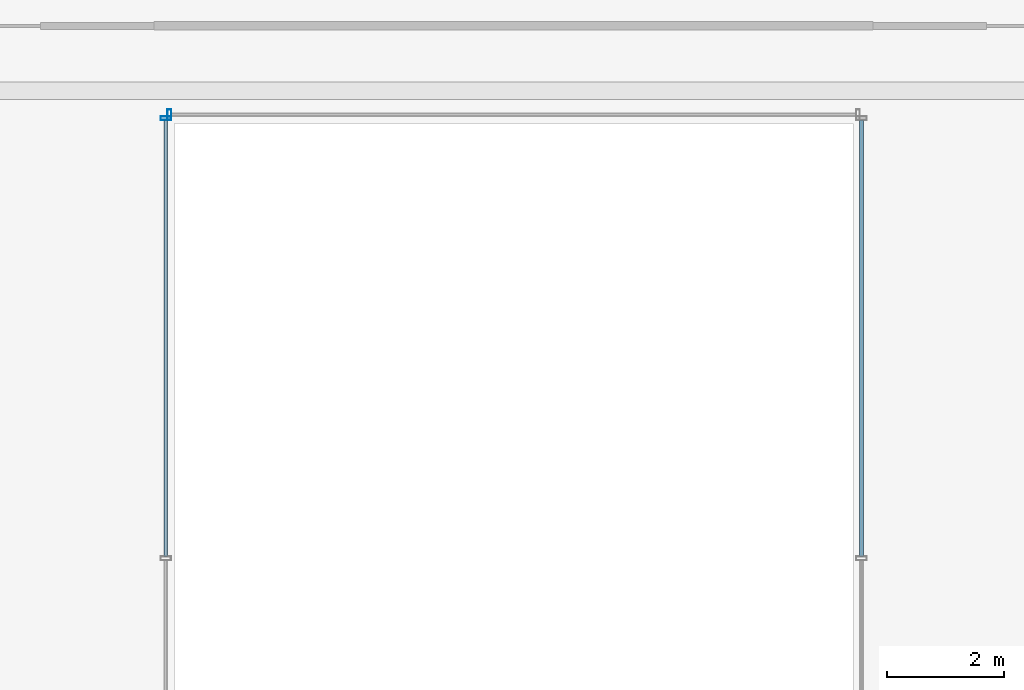
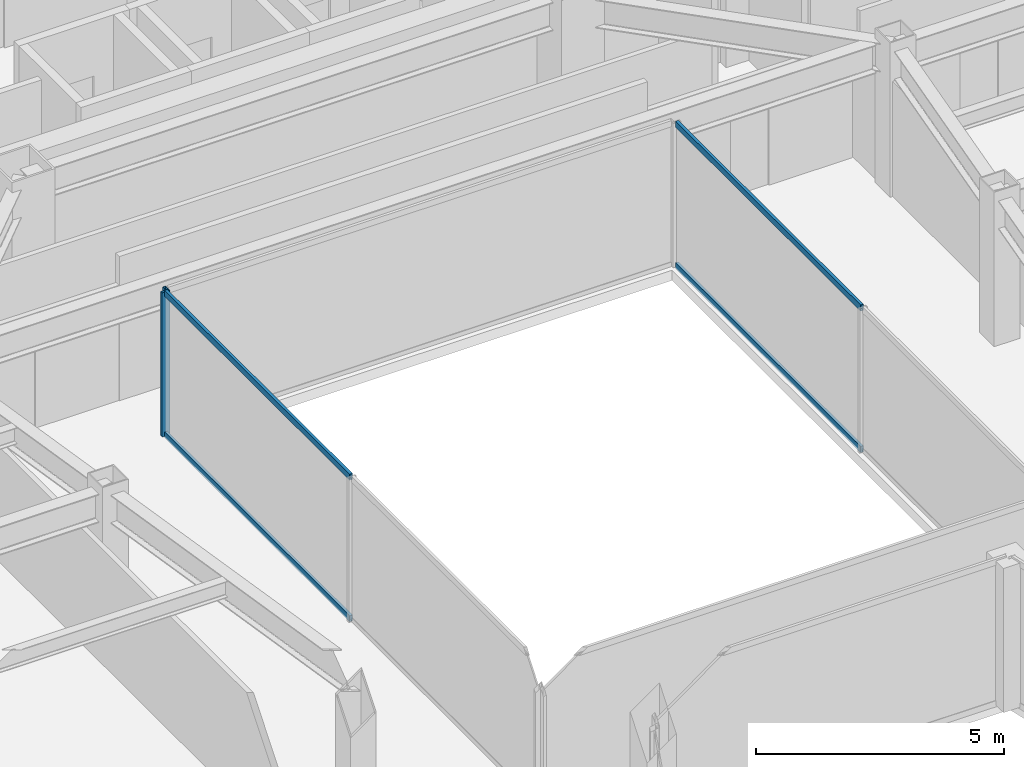
# One storey, part 12 of 38: 6 members, 3 elements without a shape of their own.
"""IFC4 building model written with IfcOpenShell, lengths in metres."""

import ifcopenshell
import ifcopenshell.guid

model = None  # the IFC model being written
_history = None  # IfcOwnerHistory: only IFC2X3 demands one
_inside = {}  # id of a spatial element -> (the spatial element, [elements in it])
_under = {}  # id of a project, library or spatial element -> (it, [spatial elements below it])
_declared = {}  # id of a project -> (the project, [libraries it declares])
_typed = {}  # id of a type object -> (the type object, [elements of that type])
_made_of = {}  # id of a material, layer set ... -> (it, [elements and type objects made of it])


def new_model(schema):
    """Start an empty IFC model of exactly this schema.

    Asked for "IFC4X3", IfcOpenShell would pick the latest addendum, in which some entities
    have other attributes; the version numbers below select the first issue.
    IFC2X3 requires an IfcOwnerHistory on every rooted entity: one is made here for all.
    """
    global model, _history
    if schema == "IFC4X3":
        model = ifcopenshell.file(schema_version=(4, 3, 0, 0))
    else:
        model = ifcopenshell.file(schema=schema)
    _inside.clear()
    _under.clear()
    _declared.clear()
    _typed.clear()
    _made_of.clear()
    _history = None
    if model.schema == "IFC2X3":
        org = make("IfcOrganization", Name="unknown")
        user = make(
            "IfcPersonAndOrganization",
            ThePerson=make("IfcPerson", FamilyName="unknown"),
            TheOrganization=org,
        )
        app = make(
            "IfcApplication",
            ApplicationDeveloper=org,
            Version="unknown",
            ApplicationFullName="unknown",
            ApplicationIdentifier="unknown",
        )
        _history = make(
            "IfcOwnerHistory",
            OwningUser=user,
            OwningApplication=app,
            ChangeAction="ADDED",
            CreationDate=0,
        )
    return model


def make(cls, **values):
    """One entity of the class cls with the attributes given. An attribute that is None is left unset."""
    return model.create_entity(
        cls, **{name: value for name, value in values.items() if value is not None}
    )


def rooted(cls, **values):
    """An entity with a GlobalId (a new one), such as an element, a storey or a relation."""
    return make(cls, GlobalId=ifcopenshell.guid.new(), OwnerHistory=_history, **values)


def si_unit(unit_type, name, prefix=None):
    """IfcSIUnit, for example si_unit("LENGTHUNIT", "METRE", prefix="MILLI")."""
    return make("IfcSIUnit", UnitType=unit_type, Prefix=prefix, Name=name)


def assignment(units):
    """IfcUnitAssignment: the units of a project."""
    return None if units is None else make("IfcUnitAssignment", Units=units)


def point(xyz):
    """IfcCartesianPoint."""
    return None if xyz is None else make("IfcCartesianPoint", Coordinates=xyz)


def direction(xyz):
    """IfcDirection."""
    return None if xyz is None else make("IfcDirection", DirectionRatios=xyz)


def frame(location, z_axis=None, x_axis=None):
    """IfcAxis2Placement3D, a coordinate frame: its origin and axes. An axis left out is left unset."""
    return make(
        "IfcAxis2Placement3D",
        Location=point(location),
        Axis=direction(z_axis),
        RefDirection=direction(x_axis),
    )


def frame_2d(location, x_axis=None):
    """IfcAxis2Placement2D, a coordinate frame in the plane: its origin and x axis."""
    return make(
        "IfcAxis2Placement2D", Location=point(location), RefDirection=direction(x_axis)
    )


def origin():
    """The frame at (0, 0, 0) with its axes left unset."""
    return frame((0.0, 0.0, 0.0))


def origin_2d():
    """The frame at (0, 0) in the plane with its x axis left unset."""
    return frame_2d((0.0, 0.0))


def place(relative_to, where):
    """IfcLocalPlacement: puts the frame where relative to a parent placement (None: the world)."""
    return make(
        "IfcLocalPlacement", PlacementRelTo=relative_to, RelativePlacement=where
    )


def context(
    kind, dimensions, precision=None, world=None, true_north=None, identifier=None
):
    """IfcGeometricRepresentationContext, for example the 3D "Model" context."""
    return make(
        "IfcGeometricRepresentationContext",
        ContextIdentifier=identifier,
        ContextType=kind,
        CoordinateSpaceDimension=dimensions,
        Precision=precision,
        WorldCoordinateSystem=world,
        TrueNorth=true_north,
    )


def subcontext(parent, identifier, kind, view, scale=None):
    """IfcGeometricRepresentationSubContext, for example "Body" below "Model"."""
    return make(
        "IfcGeometricRepresentationSubContext",
        ContextIdentifier=identifier,
        ContextType=kind,
        ParentContext=parent,
        TargetScale=scale,
        TargetView=view,
    )


def project(units=None, contexts=None):
    """IfcProject with its units and contexts."""
    return rooted(
        "IfcProject",
        Name="project",
        RepresentationContexts=contexts,
        UnitsInContext=assignment(units),
    )


def spatial(cls, under=None, at=None, **own):
    """A site, building, storey or space (cls), placed at a placement, below another one or the project."""
    s = rooted(cls, ObjectPlacement=at, **own)
    if under is not None:
        _under.setdefault(under.id(), (under, []))[1].append(s)
    return s


def profile(cls, at=None, kind="AREA", **sizes):
    """A parametric profile (cls). Its sizes go by their IFC names, for example OverallWidth=200.0."""
    return make(cls, ProfileType=kind, Position=at, **sizes)


def hollow_rectangle(**sizes):
    """IfcRectangleHollowProfileDef."""
    return profile("IfcRectangleHollowProfileDef", **sizes)


def extrude(swept, where, along, depth):
    """IfcExtrudedAreaSolid: the profile swept, set in the frame where, extruded along a direction by depth."""
    return make(
        "IfcExtrudedAreaSolid",
        SweptArea=swept,
        Position=where,
        ExtrudedDirection=direction(along),
        Depth=depth,
    )


def shape(context_of_items, identifier, shape_type, items):
    """IfcShapeRepresentation: the items that make up one representation, for example the "Body"."""
    return make(
        "IfcShapeRepresentation",
        ContextOfItems=context_of_items,
        RepresentationIdentifier=identifier,
        RepresentationType=shape_type,
        Items=items,
    )


def material(Name=None, Category=None):
    """IfcMaterial."""
    return make("IfcMaterial", Name=Name, Category=Category)


def material_profile(
    of_material, cross_section, Name=None, Category=None, Priority=None
):
    """IfcMaterialProfile: a cross section and its material."""
    return make(
        "IfcMaterialProfile",
        Name=Name,
        Material=of_material,
        Profile=cross_section,
        Priority=Priority,
        Category=Category,
    )


def profile_set(profiles, Name=None, composite=None):
    """IfcMaterialProfileSet."""
    return make(
        "IfcMaterialProfileSet",
        Name=Name,
        MaterialProfiles=profiles,
        CompositeProfile=composite,
    )


def made_of(thing, what):
    """Note that an element or type object is made of a material, layer set ...; save() writes the relation."""
    if what is not None:
        _made_of.setdefault(what.id(), (what, []))[1].append(thing)
    return thing


def type_object(cls, material=None, **own):
    """A type object (cls), such as IfcWallType, which elements share."""
    return made_of(rooted(cls, **own), material)


def element(
    cls,
    number,
    at=None,
    inside=None,
    cuts=None,
    type_object=None,
    material=None,
    context=None,
    identifier="Body",
    shape_type=None,
    held_by="IfcProductDefinitionShape",
    body=None,
    shapes=None,
    **own,
):
    """One element of the class cls, such as IfcWall. Its Tag is "e" and its number.

    at: its placement. inside: the storey or other place that contains it. cuts: it is an
    opening in that element (IfcRelVoidsElement). A single representation is given by context,
    identifier, shape_type and body (its items); several are given by shapes. held_by: the class
    of the entity that holds the representations. save() writes the other relations.
    """
    e = rooted(cls, Tag="e%d" % number, ObjectPlacement=at, **own)
    if body is not None:
        shapes = [shape(context, identifier, shape_type, body)]
    if shapes is not None:
        e.Representation = make(held_by, Representations=shapes)
    if inside is not None:
        _inside.setdefault(inside.id(), (inside, []))[1].append(e)
    if cuts is not None:
        rooted(
            "IfcRelVoidsElement", RelatingBuildingElement=cuts, RelatedOpeningElement=e
        )
    if type_object is not None:
        _typed.setdefault(type_object.id(), (type_object, []))[1].append(e)
    return made_of(e, material)


def aggregate(whole, parts):
    """IfcRelAggregates: a whole, such as a stair, and the parts it consists of."""
    return rooted("IfcRelAggregates", RelatingObject=whole, RelatedObjects=parts)


def save(model, path):
    """Write the relations noted so far, then the file.

    IfcRelAggregates (storeys below a building ...), IfcRelContainedInSpatialStructure (elements
    in a storey), IfcRelDefinesByType, IfcRelAssociatesMaterial and IfcRelDeclares: one each for
    every whole, place, type object, material and project.
    """
    for whole, parts in _under.values():
        aggregate(whole, parts)
    for where, things in _inside.values():
        rooted(
            "IfcRelContainedInSpatialStructure",
            RelatedElements=things,
            RelatingStructure=where,
        )
    for kind, things in _typed.values():
        rooted("IfcRelDefinesByType", RelatedObjects=things, RelatingType=kind)
    for what, things in _made_of.values():
        rooted("IfcRelAssociatesMaterial", RelatedObjects=things, RelatingMaterial=what)
    for by, libraries in _declared.values():
        rooted("IfcRelDeclares", RelatingContext=by, RelatedDefinitions=libraries)
    model.write(path)


model = new_model("IFC4")

# Units and contexts
model_context = context("Model", 3, precision=1e-05, world=origin(), true_north=direction((0.0, 1.0)))
body_context = subcontext(model_context, "Body", "Model", "MODEL_VIEW")
ifc_project = project(units=[si_unit("LENGTHUNIT", "METRE"), si_unit("AREAUNIT", "SQUARE_METRE"), si_unit("VOLUMEUNIT", "CUBIC_METRE"), si_unit("PLANEANGLEUNIT", "RADIAN"), si_unit("MASSUNIT", "GRAM", prefix="KILO")], contexts=[model_context])

# Site, building, storey
site_placement = place(None, origin())
site = spatial("IfcSite", under=ifc_project, at=site_placement, CompositionType="ELEMENT")
building_placement = place(site_placement, origin())
building = spatial("IfcBuilding", under=site, at=building_placement, Name="Saevonmaru Cultural Tower", CompositionType="ELEMENT")
storey_placement = place(building_placement, frame((0.0, 0.0, 133.39990234375)))
storey = spatial("IfcBuildingStorey", under=building, at=storey_placement, Name="L28", CompositionType="ELEMENT", Elevation=133.39990234375)

# Curtain wall, member
ifc_material = material(Name="Satin Bronze Anodised Aluminium", Category="aluminium")
curtain_wall_type = type_object("IfcCurtainWallType", Name="CW-ATR-GLZ", PredefinedType="NOTDEFINED", material=ifc_material)
curtain_wall_1_placement = place(storey_placement, origin())
curtain_wall_1 = element("IfcCurtainWall", 1, at=curtain_wall_1_placement, inside=storey, type_object=curtain_wall_type, Name="L28 Vertical Atrium Glazed Smoke Screen 3", PredefinedType="NOTDEFINED")
ifc_material_profile_1 = material_profile(ifc_material, hollow_rectangle(XDim=0.06494140625, YDim=0.179931640625, WallThickness=0.00390625, at=origin_2d()), Name="ALU-MULL-180x65x4")
ifc_profile_set_1 = profile_set([ifc_material_profile_1], Name="Satin Bronze Anodised Aluminium")
member_type_1 = type_object("IfcMemberType", Name="ML-CW-INT-180x65", PredefinedType="MULLION", material=ifc_profile_set_1)
member_1_placement = place(storey_placement, frame((24.110107421875, 37.429931640625, 0.0), z_axis=(0.0, 0.0, 1.0), x_axis=(-1.0, 0.0, 0.0)))
member_1 = element("IfcMember", 2, at=member_1_placement, type_object=member_type_1, Name="CW-ATR-L28-3 mullion 2", PredefinedType="MULLION", context=body_context, shape_type="SweptSolid", body=[
    extrude(hollow_rectangle(XDim=0.06494140625, YDim=0.179931640625, WallThickness=0.00390625, at=origin_2d()), origin(), (0.0, 0.0, 1.0), 3.550048828125),
])
aggregate(curtain_wall_1, [member_1])

curtain_wall_2_placement = place(storey_placement, origin())
curtain_wall_2 = element("IfcCurtainWall", 3, at=curtain_wall_2_placement, inside=storey, type_object=curtain_wall_type, Name="L28 Vertical Atrium Glazed Smoke Screen 4", PredefinedType="NOTDEFINED")
member_2_placement = place(storey_placement, frame((24.050048828125, 37.3701171875, 0.0), z_axis=(0.0, 0.0, 1.0), x_axis=(0.0, -1.0, 0.0)))
member_2 = element("IfcMember", 4, at=member_2_placement, type_object=member_type_1, Name="CW-ATR-L28-4 mullion 1", PredefinedType="MULLION", context=body_context, shape_type="SweptSolid", body=[
    extrude(hollow_rectangle(XDim=0.06494140625, YDim=0.179931640625, WallThickness=0.00390625, at=origin_2d()), origin(), (0.0, 0.0, 1.0), 3.550048828125),
])

# Curtain wall, members
curtain_wall_3_placement = place(storey_placement, origin())
curtain_wall_3 = element("IfcCurtainWall", 5, at=curtain_wall_3_placement, inside=storey, type_object=curtain_wall_type, Name="L28 Vertical Atrium Glazed Smoke Screen 2", PredefinedType="NOTDEFINED")
ifc_material_profile_2 = material_profile(ifc_material, hollow_rectangle(XDim=0.06494140625, YDim=0.14990234375, WallThickness=0.00390625, at=origin_2d()), Name="ALU-TRAN-150x65x4")
ifc_profile_set_2 = profile_set([ifc_material_profile_2], Name="Satin Bronze Anodised Aluminium")
member_type_2 = type_object("IfcMemberType", Name="TR-CW-INT-150x65", PredefinedType="USERDEFINED", material=ifc_profile_set_2)
member_3_placement = place(storey_placement, frame((35.949951171875, 29.87255859375, 0.03271484375), z_axis=(0.0, 1.0, 0.0), x_axis=(-1.0, 0.0, 0.0)))
member_3 = element("IfcMember", 6, at=member_3_placement, type_object=member_type_2, Name="CW-ATR-L28-2 transom 2.1", ObjectType="TRANSOM", PredefinedType="USERDEFINED", context=body_context, shape_type="SweptSolid", body=[
    extrude(hollow_rectangle(XDim=0.06494140625, YDim=0.14990234375, WallThickness=0.00390625, at=origin_2d()), origin(), (0.0, 0.0, 1.0), 7.46484375),
])
member_4_placement = place(storey_placement, frame((35.949951171875, 29.87255859375, 3.517578125), z_axis=(0.0, 1.0, 0.0), x_axis=(-1.0, 0.0, 0.0)))
member_4 = element("IfcMember", 7, at=member_4_placement, type_object=member_type_2, Name="CW-ATR-L28-2 transom 2.2", ObjectType="TRANSOM", PredefinedType="USERDEFINED", context=body_context, shape_type="SweptSolid", body=[
    extrude(hollow_rectangle(XDim=0.06494140625, YDim=0.14990234375, WallThickness=0.00390625, at=origin_2d()), origin(), (0.0, 0.0, 1.0), 7.46484375),
])
aggregate(curtain_wall_3, [member_3, member_4])

# Member
member_5_placement = place(storey_placement, frame((24.050048828125, 37.33740234375, 0.03271484375), z_axis=(0.0, -1.0, 0.0), x_axis=(1.0, 0.0, 0.0)))
member_5 = element("IfcMember", 8, at=member_5_placement, type_object=member_type_2, Name="CW-ATR-L28-4 transom 1.1", ObjectType="TRANSOM", PredefinedType="USERDEFINED", context=body_context, shape_type="SweptSolid", body=[
    extrude(hollow_rectangle(XDim=0.06494140625, YDim=0.14990234375, WallThickness=0.00390625, at=origin_2d()), origin(), (0.0, 0.0, 1.0), 7.46484375),
])

member_6_placement = place(storey_placement, frame((24.050048828125, 37.33740234375, 3.517578125), z_axis=(0.0, -1.0, 0.0), x_axis=(1.0, 0.0, 0.0)))
member_6 = element("IfcMember", 9, at=member_6_placement, type_object=member_type_2, Name="CW-ATR-L28-4 transom 1.2", ObjectType="TRANSOM", PredefinedType="USERDEFINED", context=body_context, shape_type="SweptSolid", body=[
    extrude(hollow_rectangle(XDim=0.06494140625, YDim=0.14990234375, WallThickness=0.00390625, at=origin_2d()), origin(), (0.0, 0.0, 1.0), 7.46484375),
])

aggregate(curtain_wall_2, [member_2, member_5, member_6])

save(model, "model.ifc")
